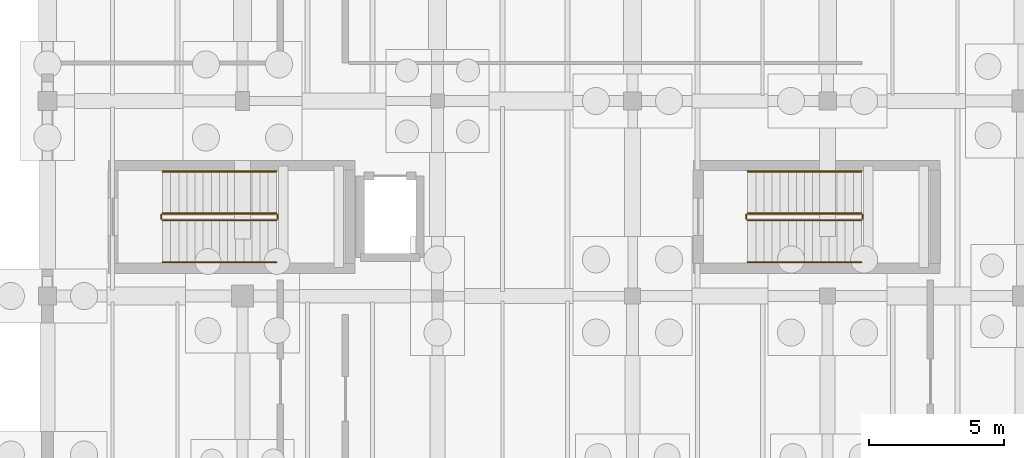
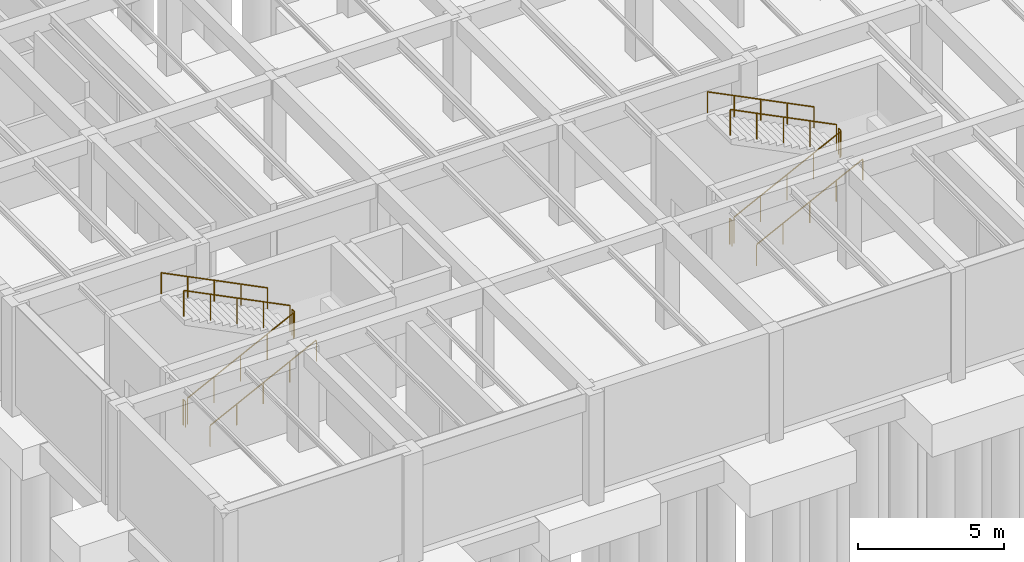
# One storey, part 55 of 63: 12 railings.
"""IFC4 building model written with IfcOpenShell, lengths in metres."""

from ifc_helpers import new_model, si_unit, direction, frame, origin, origin_2d, place, context, subcontext, project, spatial, circle, extrude, material, type_object, element, save


model = new_model("IFC4")

# Units and contexts
model_context = context("Model", 3, precision=1e-05, world=origin(), true_north=direction((0.0, 1.0)))
body_context = subcontext(model_context, "Body", "Model", "MODEL_VIEW")
ifc_project = project(units=[si_unit("LENGTHUNIT", "METRE"), si_unit("AREAUNIT", "SQUARE_METRE"), si_unit("VOLUMEUNIT", "CUBIC_METRE"), si_unit("PLANEANGLEUNIT", "RADIAN"), si_unit("MASSUNIT", "GRAM", prefix="KILO")], contexts=[model_context])

# Site, building, storey
site_placement = place(None, origin())
site = spatial("IfcSite", under=ifc_project, at=site_placement, CompositionType="ELEMENT")
building_placement = place(site_placement, origin())
building = spatial("IfcBuilding", under=site, at=building_placement, Name="Mazaris Harbour Polytechnic", CompositionType="ELEMENT")
storey_placement = place(building_placement, frame((0.0, 0.0, -4.5)))
storey = spatial("IfcBuildingStorey", under=building, at=storey_placement, Name="B1", CompositionType="ELEMENT", Elevation=-4.5)

# Railings
ifc_material_1 = material(Name="Stainless Steel S355", Category="steel")
railing_type_1 = type_object("IfcRailingType", Name="Stair Wall Handrail 900", PredefinedType="HANDRAIL", material=ifc_material_1)
railing_1_placement = place(storey_placement, frame((4.25, 15.64990234375, 0.14990234375)))
element("IfcRailing", 1, at=railing_1_placement, inside=storey, type_object=railing_type_1, Name="B1 ST07 stair handrail 1", PredefinedType="HANDRAIL", context=body_context, shape_type="SweptSolid", body=[
    extrude(circle(Radius=0.02392578125, at=origin_2d()), frame((0.0, 0.0, 0.8759765625), z_axis=(0.894416792377, 0.0, 0.447234392142), x_axis=(0.0, 1.0, 0.0)), (0.0, 0.0, 1.0), 4.69580078125),
    extrude(circle(Radius=0.02099609375, at=origin_2d()), origin(), (0.0, 0.0, 1.0), 0.851806640625),
    extrude(circle(Radius=0.02099609375, at=origin_2d()), frame((1.050048828125, 0.0, 0.52490234375)), (0.0, 0.0, 1.0), 0.851806640625),
    extrude(circle(Radius=0.02099609375, at=origin_2d()), frame((2.10009765625, 0.0, 1.050048828125)), (0.0, 0.0, 1.0), 0.851806640625),
    extrude(circle(Radius=0.02099609375, at=origin_2d()), frame((3.14990234375, 0.0, 1.5751953125)), (0.0, 0.0, 1.0), 0.851806640625),
    extrude(circle(Radius=0.02099609375, at=origin_2d()), frame((4.199951171875, 0.0, 2.10009765625)), (0.0, 0.0, 1.0), 0.851806640625),
])
railing_2_placement = place(storey_placement, frame((8.449951171875, 19.0, 2.39990234375)))
element("IfcRailing", 2, at=railing_2_placement, inside=storey, type_object=railing_type_1, Name="B1 ST07 stair handrail 2", PredefinedType="HANDRAIL", context=body_context, shape_type="SweptSolid", body=[
    extrude(circle(Radius=0.02392578125, at=origin_2d()), frame((0.0, 0.0, 0.8759765625), z_axis=(-0.894416792377, 0.0, 0.447234392142), x_axis=(0.0, -1.0, 0.0)), (0.0, 0.0, 1.0), 4.69580078125),
    extrude(circle(Radius=0.02099609375, at=origin_2d()), origin(), (0.0, 0.0, 1.0), 0.851806640625),
    extrude(circle(Radius=0.02099609375, at=origin_2d()), frame((-1.050048828125, 0.0, 0.52490234375)), (0.0, 0.0, 1.0), 0.851806640625),
    extrude(circle(Radius=0.02099609375, at=origin_2d()), frame((-2.10009765625, 0.0, 1.050048828125)), (0.0, 0.0, 1.0), 0.851806640625),
    extrude(circle(Radius=0.02099609375, at=origin_2d()), frame((-3.14990234375, 0.0, 1.5751953125)), (0.0, 0.0, 1.0), 0.851806640625),
    extrude(circle(Radius=0.02099609375, at=origin_2d()), frame((-4.199951171875, 0.0, 2.10009765625)), (0.0, 0.0, 1.0), 0.851806640625),
])
railing_3_placement = place(storey_placement, frame((25.85009765625, 15.64990234375, 0.14990234375)))
element("IfcRailing", 3, at=railing_3_placement, inside=storey, type_object=railing_type_1, Name="B1 ST08 stair handrail 1", PredefinedType="HANDRAIL", context=body_context, shape_type="SweptSolid", body=[
    extrude(circle(Radius=0.02392578125, at=origin_2d()), frame((0.0, 0.0, 0.8759765625), z_axis=(0.894416792377, 0.0, 0.447234392142), x_axis=(0.0, 1.0, 0.0)), (0.0, 0.0, 1.0), 4.69580078125),
    extrude(circle(Radius=0.02099609375, at=origin_2d()), origin(), (0.0, 0.0, 1.0), 0.851806640625),
    extrude(circle(Radius=0.02099609375, at=origin_2d()), frame((1.050048828125, 0.0, 0.52490234375)), (0.0, 0.0, 1.0), 0.851806640625),
    extrude(circle(Radius=0.02099609375, at=origin_2d()), frame((2.10009765625, 0.0, 1.050048828125)), (0.0, 0.0, 1.0), 0.851806640625),
    extrude(circle(Radius=0.02099609375, at=origin_2d()), frame((3.14990234375, 0.0, 1.5751953125)), (0.0, 0.0, 1.0), 0.851806640625),
    extrude(circle(Radius=0.02099609375, at=origin_2d()), frame((4.199951171875, 0.0, 2.10009765625)), (0.0, 0.0, 1.0), 0.851806640625),
])
railing_4_placement = place(storey_placement, frame((30.050048828125, 19.0, 2.39990234375)))
element("IfcRailing", 4, at=railing_4_placement, inside=storey, type_object=railing_type_1, Name="B1 ST08 stair handrail 2", PredefinedType="HANDRAIL", context=body_context, shape_type="SweptSolid", body=[
    extrude(circle(Radius=0.02392578125, at=origin_2d()), frame((0.0, 0.0, 0.8759765625), z_axis=(-0.894416792377, 0.0, 0.447234392142), x_axis=(0.0, -1.0, 0.0)), (0.0, 0.0, 1.0), 4.69580078125),
    extrude(circle(Radius=0.02099609375, at=origin_2d()), origin(), (0.0, 0.0, 1.0), 0.851806640625),
    extrude(circle(Radius=0.02099609375, at=origin_2d()), frame((-1.050048828125, 0.0, 0.52490234375)), (0.0, 0.0, 1.0), 0.851806640625),
    extrude(circle(Radius=0.02099609375, at=origin_2d()), frame((-2.10009765625, 0.0, 1.050048828125)), (0.0, 0.0, 1.0), 0.851806640625),
    extrude(circle(Radius=0.02099609375, at=origin_2d()), frame((-3.14990234375, 0.0, 1.5751953125)), (0.0, 0.0, 1.0), 0.851806640625),
    extrude(circle(Radius=0.02099609375, at=origin_2d()), frame((-4.199951171875, 0.0, 2.10009765625)), (0.0, 0.0, 1.0), 0.851806640625),
])
ifc_material_2 = material(Name="Steel S355", Category="steel")
railing_type_2 = type_object("IfcRailingType", Name="Stair Well Guardrail 1100", PredefinedType="GUARDRAIL", material=ifc_material_2)
railing_5_placement = place(storey_placement, frame((4.25, 17.199951171875, 0.14990234375)))
element("IfcRailing", 5, at=railing_5_placement, inside=storey, type_object=railing_type_2, Name="B1 ST07 stair guard 1", PredefinedType="GUARDRAIL", context=body_context, shape_type="SweptSolid", body=[
    extrude(circle(Radius=0.02392578125, at=origin_2d()), frame((0.0, 0.0, 1.076171875), z_axis=(0.894416792377, 0.0, 0.447234392142), x_axis=(0.0, 1.0, 0.0)), (0.0, 0.0, 1.0), 4.69580078125),
    extrude(circle(Radius=0.02099609375, at=origin_2d()), origin(), (0.0, 0.0, 1.0), 1.052001953125),
    extrude(circle(Radius=0.02099609375, at=origin_2d()), frame((1.050048828125, 0.0, 0.52490234375)), (0.0, 0.0, 1.0), 1.052001953125),
    extrude(circle(Radius=0.02099609375, at=origin_2d()), frame((2.10009765625, 0.0, 1.050048828125)), (0.0, 0.0, 1.0), 1.052001953125),
    extrude(circle(Radius=0.02099609375, at=origin_2d()), frame((3.14990234375, 0.0, 1.5751953125)), (0.0, 0.0, 1.0), 1.052001953125),
    extrude(circle(Radius=0.02099609375, at=origin_2d()), frame((4.199951171875, 0.0, 2.10009765625)), (0.0, 0.0, 1.0), 1.052001953125),
])
railing_6_placement = place(storey_placement, frame((8.5, 17.25, 2.25)))
element("IfcRailing", 6, at=railing_6_placement, inside=storey, type_object=railing_type_2, Name="B1 ST07 stair guard 2", PredefinedType="GUARDRAIL", context=body_context, shape_type="SweptSolid", body=[
    extrude(circle(Radius=0.02392578125, at=origin_2d()), frame((0.0, 0.0, 1.076171875), z_axis=(0.0, 1.0, 0.0), x_axis=(-1.0, 0.0, 0.0)), (0.0, 0.0, 1.0), 0.14990234375),
    extrude(circle(Radius=0.02099609375, at=origin_2d()), origin(), (0.0, 0.0, 1.0), 1.052001953125),
    extrude(circle(Radius=0.02099609375, at=origin_2d()), frame((0.0, 0.14990234375, 0.0)), (0.0, 0.0, 1.0), 1.052001953125),
])
railing_7_placement = place(storey_placement, frame((8.449951171875, 17.449951171875, 2.39990234375)))
element("IfcRailing", 7, at=railing_7_placement, inside=storey, type_object=railing_type_2, Name="B1 ST07 stair guard 3", PredefinedType="GUARDRAIL", context=body_context, shape_type="SweptSolid", body=[
    extrude(circle(Radius=0.02392578125, at=origin_2d()), frame((0.0, 0.0, 1.076171875), z_axis=(-0.894416792377, 0.0, 0.447234392142), x_axis=(0.0, -1.0, 0.0)), (0.0, 0.0, 1.0), 4.69580078125),
    extrude(circle(Radius=0.02099609375, at=origin_2d()), origin(), (0.0, 0.0, 1.0), 1.052001953125),
    extrude(circle(Radius=0.02099609375, at=origin_2d()), frame((-1.050048828125, 0.0, 0.52490234375)), (0.0, 0.0, 1.0), 1.052001953125),
    extrude(circle(Radius=0.02099609375, at=origin_2d()), frame((-2.10009765625, 0.0, 1.050048828125)), (0.0, 0.0, 1.0), 1.052001953125),
    extrude(circle(Radius=0.02099609375, at=origin_2d()), frame((-3.14990234375, 0.0, 1.5751953125)), (0.0, 0.0, 1.0), 1.052001953125),
    extrude(circle(Radius=0.02099609375, at=origin_2d()), frame((-4.199951171875, 0.0, 2.10009765625)), (0.0, 0.0, 1.0), 1.052001953125),
])
railing_8_placement = place(storey_placement, frame((4.199951171875, 17.25, 0.0)))
element("IfcRailing", 8, at=railing_8_placement, inside=storey, type_object=railing_type_2, Name="B1 ST07 stair guard 4", PredefinedType="GUARDRAIL", context=body_context, shape_type="SweptSolid", body=[
    extrude(circle(Radius=0.02392578125, at=origin_2d()), frame((0.0, 0.0, 1.076171875), z_axis=(0.0, 1.0, 0.0), x_axis=(-1.0, 0.0, 0.0)), (0.0, 0.0, 1.0), 0.14990234375),
    extrude(circle(Radius=0.02099609375, at=origin_2d()), origin(), (0.0, 0.0, 1.0), 1.052001953125),
    extrude(circle(Radius=0.02099609375, at=origin_2d()), frame((0.0, 0.14990234375, 0.0)), (0.0, 0.0, 1.0), 1.052001953125),
])
railing_9_placement = place(storey_placement, frame((25.85009765625, 17.199951171875, 0.14990234375)))
element("IfcRailing", 9, at=railing_9_placement, inside=storey, type_object=railing_type_2, Name="B1 ST08 stair guard 1", PredefinedType="GUARDRAIL", context=body_context, shape_type="SweptSolid", body=[
    extrude(circle(Radius=0.02392578125, at=origin_2d()), frame((0.0, 0.0, 1.076171875), z_axis=(0.894416792377, 0.0, 0.447234392142), x_axis=(0.0, 1.0, 0.0)), (0.0, 0.0, 1.0), 4.69580078125),
    extrude(circle(Radius=0.02099609375, at=origin_2d()), origin(), (0.0, 0.0, 1.0), 1.052001953125),
    extrude(circle(Radius=0.02099609375, at=origin_2d()), frame((1.050048828125, 0.0, 0.52490234375)), (0.0, 0.0, 1.0), 1.052001953125),
    extrude(circle(Radius=0.02099609375, at=origin_2d()), frame((2.10009765625, 0.0, 1.050048828125)), (0.0, 0.0, 1.0), 1.052001953125),
    extrude(circle(Radius=0.02099609375, at=origin_2d()), frame((3.14990234375, 0.0, 1.5751953125)), (0.0, 0.0, 1.0), 1.052001953125),
    extrude(circle(Radius=0.02099609375, at=origin_2d()), frame((4.199951171875, 0.0, 2.10009765625)), (0.0, 0.0, 1.0), 1.052001953125),
])
railing_10_placement = place(storey_placement, frame((30.10009765625, 17.25, 2.25)))
element("IfcRailing", 10, at=railing_10_placement, inside=storey, type_object=railing_type_2, Name="B1 ST08 stair guard 2", PredefinedType="GUARDRAIL", context=body_context, shape_type="SweptSolid", body=[
    extrude(circle(Radius=0.02392578125, at=origin_2d()), frame((0.0, 0.0, 1.076171875), z_axis=(0.0, 1.0, 0.0), x_axis=(-1.0, 0.0, 0.0)), (0.0, 0.0, 1.0), 0.14990234375),
    extrude(circle(Radius=0.02099609375, at=origin_2d()), origin(), (0.0, 0.0, 1.0), 1.052001953125),
    extrude(circle(Radius=0.02099609375, at=origin_2d()), frame((0.0, 0.14990234375, 0.0)), (0.0, 0.0, 1.0), 1.052001953125),
])
railing_11_placement = place(storey_placement, frame((30.050048828125, 17.449951171875, 2.39990234375)))
element("IfcRailing", 11, at=railing_11_placement, inside=storey, type_object=railing_type_2, Name="B1 ST08 stair guard 3", PredefinedType="GUARDRAIL", context=body_context, shape_type="SweptSolid", body=[
    extrude(circle(Radius=0.02392578125, at=origin_2d()), frame((0.0, 0.0, 1.076171875), z_axis=(-0.894416792377, 0.0, 0.447234392142), x_axis=(0.0, -1.0, 0.0)), (0.0, 0.0, 1.0), 4.69580078125),
    extrude(circle(Radius=0.02099609375, at=origin_2d()), origin(), (0.0, 0.0, 1.0), 1.052001953125),
    extrude(circle(Radius=0.02099609375, at=origin_2d()), frame((-1.050048828125, 0.0, 0.52490234375)), (0.0, 0.0, 1.0), 1.052001953125),
    extrude(circle(Radius=0.02099609375, at=origin_2d()), frame((-2.10009765625, 0.0, 1.050048828125)), (0.0, 0.0, 1.0), 1.052001953125),
    extrude(circle(Radius=0.02099609375, at=origin_2d()), frame((-3.14990234375, 0.0, 1.5751953125)), (0.0, 0.0, 1.0), 1.052001953125),
    extrude(circle(Radius=0.02099609375, at=origin_2d()), frame((-4.199951171875, 0.0, 2.10009765625)), (0.0, 0.0, 1.0), 1.052001953125),
])
railing_12_placement = place(storey_placement, frame((25.800048828125, 17.25, 0.0)))
element("IfcRailing", 12, at=railing_12_placement, inside=storey, type_object=railing_type_2, Name="B1 ST08 stair guard 4", PredefinedType="GUARDRAIL", context=body_context, shape_type="SweptSolid", body=[
    extrude(circle(Radius=0.02392578125, at=origin_2d()), frame((0.0, 0.0, 1.076171875), z_axis=(0.0, 1.0, 0.0), x_axis=(-1.0, 0.0, 0.0)), (0.0, 0.0, 1.0), 0.14990234375),
    extrude(circle(Radius=0.02099609375, at=origin_2d()), origin(), (0.0, 0.0, 1.0), 1.052001953125),
    extrude(circle(Radius=0.02099609375, at=origin_2d()), frame((0.0, 0.14990234375, 0.0)), (0.0, 0.0, 1.0), 1.052001953125),
])

save(model, "model.ifc")
